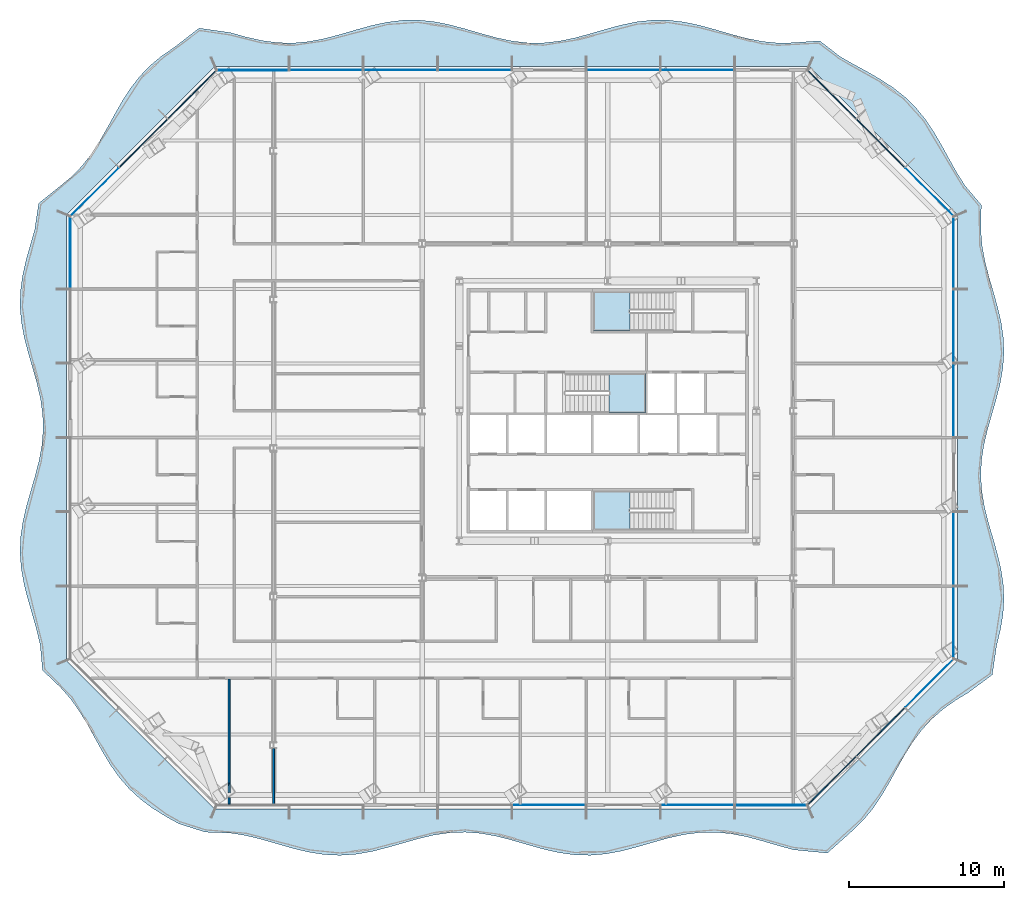
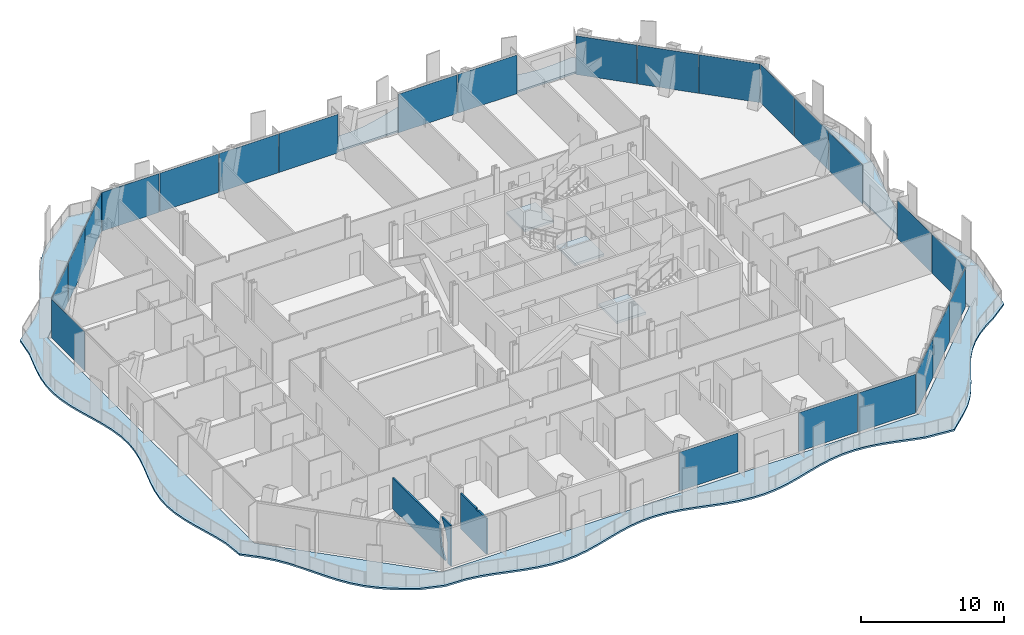
# One storey, part 5 of 17: 24 plates, 4 slabs, 3 walls, 10 elements without a shape of their own.
"""IFC4 building model written with IfcOpenShell, lengths in metres."""

from ifc_helpers import new_model, si_unit, direction, frame, origin, origin_2d, place, context, subcontext, project, spatial, polyline, rectangle, outline, extrude, material, layer, layer_set, type_object, element, aggregate, save


model = new_model("IFC4")

# Units and contexts
model_context = context("Model", 3, precision=1e-05, world=origin(), true_north=direction((0.0, 1.0)))
body_context = subcontext(model_context, "Body", "Model", "MODEL_VIEW")
ifc_project = project(units=[si_unit("LENGTHUNIT", "METRE"), si_unit("AREAUNIT", "SQUARE_METRE"), si_unit("VOLUMEUNIT", "CUBIC_METRE"), si_unit("PLANEANGLEUNIT", "RADIAN"), si_unit("MASSUNIT", "GRAM", prefix="KILO")], contexts=[model_context])

# Site, building, storey
site_placement = place(None, origin())
site = spatial("IfcSite", under=ifc_project, at=site_placement, CompositionType="ELEMENT")
building_placement = place(site_placement, origin())
building = spatial("IfcBuilding", under=site, at=building_placement, Name="Cairn Pilgrim Tower", CompositionType="ELEMENT")
storey_placement = place(building_placement, frame((0.0, 0.0, 94.199951171875)))
storey = spatial("IfcBuildingStorey", under=building, at=storey_placement, Name="L22", CompositionType="ELEMENT", Elevation=94.199951171875)

# Slab
ifc_material_1 = material(Name="Concrete C35/45", Category="concrete")
ifc_layer_1 = layer(ifc_material_1, 0.14990234375)
ifc_layer_set_1 = layer_set([ifc_layer_1], Name="BALCONY SLAB 150 CONCRETE C35/45")
slab_type_1 = type_object("IfcSlabType", Name="BALCONY SLAB 150 CONCRETE C35/45", PredefinedType="FLOOR", material=ifc_layer_set_1)
slab_1_placement = place(storey_placement, frame((0.0, 0.0, -0.14990234375)))
element("IfcSlab", 1, at=slab_1_placement, inside=storey, type_object=slab_type_1, Name="Balcony slab BS-1", PredefinedType="FLOOR", context=body_context, shape_type="SweptSolid", body=[
    extrude(outline(polyline([(-20.523193359375, -24.287841796875), (-18.81298828125, -24.82763671875), (-17.18115234375, -24.885986328125), (-16.170654296875, -25.0517578125), (-15.16015625, -25.29931640625), (-14.1494140625, -25.590087890625), (-13.138916015625, -25.87890625), (-12.12841796875, -26.12109375), (-11.117919921875, -26.278564453125), (-10.107421875, -26.327392578125), (-9.096923828125, -26.259521484375), (-8.08642578125, -26.085693359375), (-7.075927734375, -25.8330078125), (-6.065185546875, -25.54052734375), (-5.0546875, -25.25390625), (-4.044189453125, -25.017578125), (-3.03369140625, -24.868408203125), (-2.023193359375, -24.829345703125), (-1.0126953125, -24.90673828125), (-0.002197265625, -25.08837890625), (1.00830078125, -25.345947265625), (2.018798828125, -25.6396484375), (3.029541015625, -25.923828125), (4.0400390625, -26.154052734375), (5.050537109375, -26.294677734375), (6.06103515625, -26.323974609375), (7.071533203125, -26.2373046875), (8.08203125, -26.048095703125), (9.092529296875, -25.785888671875), (10.10302734375, -25.4912109375), (11.113525390625, -25.2099609375), (12.124267578125, -24.98583984375), (13.134765625, -24.853759765625), (14.145263671875, -24.834228515625), (15.15576171875, -24.930419921875), (16.166259765625, -25.126953125), (17.1767578125, -25.3935546875), (18.187255859375, -25.68896484375), (19.19775390625, -25.967041015625), (21.3916015625, -26.1845703125), (22.999267578125, -24.7470703125), (23.696533203125, -24.072998046875), (24.318359375, -23.3232421875), (24.8740234375, -22.507568359375), (25.382080078125, -21.644287109375), (25.8681640625, -20.759033203125), (26.36083984375, -19.880126953125), (26.887451171875, -19.035400390625), (27.47119140625, -18.247802734375), (28.12646484375, -17.53173828125), (28.85791015625, -16.891357421875), (29.658447265625, -16.320556640625), (30.511962890625, -15.802734375), (32.051513671875, -14.65673828125), (32.337158203125, -12.734619140625), (32.580810546875, -11.741455078125), (32.74609375, -10.74853515625), (32.808349609375, -9.75537109375), (32.757568359375, -8.76220703125), (32.60205078125, -7.76904296875), (32.36474609375, -6.776123046875), (32.08154296875, -5.782958984375), (31.794921875, -4.789794921875), (31.547607421875, -3.796630859375), (31.377197265625, -2.8037109375), (31.30908203125, -1.810546875), (31.353515625, -0.8173828125), (31.503662109375, 0.17578125), (31.7373046875, 1.168701171875), (32.01904296875, 2.161865234375), (32.306640625, 3.155029296875), (32.55712890625, 4.148193359375), (32.732666015625, 5.14111328125), (32.806884765625, 6.13427734375), (32.768798828125, 7.12744140625), (32.6240234375, 8.12060546875), (32.394287109375, 9.113525390625), (32.114013671875, 10.106689453125), (31.825439453125, 11.099853515625), (31.572021484375, 12.093017578125), (31.391357421875, 13.0859375), (31.31103515625, 14.0791015625), (31.343017578125, 15.7080078125), (30.30322265625, 16.9384765625), (29.771728515625, 17.778564453125), (29.27685546875, 18.655029296875), (28.79150390625, 19.541015625), (28.286865234375, 20.40771484375), (27.73681640625, 21.229248046875), (27.1220703125, 21.98583984375), (26.432373046875, 22.667724609375), (25.66845703125, 23.275146484375), (24.84130859375, 23.819580078125), (23.971435546875, 24.321044921875), (23.085205078125, 24.80615234375), (22.2109375, 25.303466796875), (20.892333984375, 26.32373046875), (19.19775390625, 26.195556640625), (18.187255859375, 26.180419921875), (17.1767578125, 26.280517578125), (16.166259765625, 26.480224609375), (15.15576171875, 26.748779296875), (14.145263671875, 27.044189453125), (13.134765625, 27.32080078125), (12.124267578125, 27.535400390625), (11.113525390625, 27.65478515625), (10.10302734375, 27.66015625), (9.092529296875, 27.551025390625), (8.08203125, 27.343994140625), (7.071533203125, 27.071533203125), (6.06103515625, 26.77587890625), (5.050537109375, 26.5029296875), (4.0400390625, 26.295166015625), (3.029541015625, 26.184814453125), (2.018798828125, 26.189208984375), (1.00830078125, 26.307373046875), (-0.002197265625, 26.521240234375), (-1.0126953125, 26.79736328125), (-2.023193359375, 27.0927734375), (-3.03369140625, 27.36181640625), (-4.044189453125, 27.5625), (-5.0546875, 27.663818359375), (-6.065185546875, 27.649658203125), (-7.075927734375, 27.5224609375), (-8.08642578125, 27.302001953125), (-9.096923828125, 27.022705078125), (-10.107421875, 26.7275390625), (-11.117919921875, 26.462646484375), (-12.12841796875, 26.269287109375), (-13.138916015625, 26.177490234375), (-14.1494140625, 26.201171875), (-15.16015625, 26.337158203125), (-16.170654296875, 26.56396484375), (-17.18115234375, 26.846435546875), (-19.214111328125, 27.140869140625), (-20.80029296875, 25.90966796875), (-21.615966796875, 25.353759765625), (-22.365478515625, 24.731689453125), (-23.03955078125, 24.034423828125), (-23.64013671875, 23.263427734375), (-24.178955078125, 22.43115234375), (-24.677734375, 21.558349609375), (-25.16259765625, 20.671875), (-25.662841796875, 19.800537109375), (-26.20458984375, 18.970947265625), (-26.808837890625, 18.203857421875), (-27.487060546875, 17.510498046875), (-28.240478515625, 16.892333984375), (-29.584228515625, 15.814697265625), (-29.844482421875, 14.0791015625), (-30.13427734375, 13.0859375), (-30.410400390625, 12.093017578125), (-30.630859375, 11.099853515625), (-30.762939453125, 10.106689453125), (-30.786865234375, 9.113525390625), (-30.69873046875, 8.12060546875), (-30.511962890625, 7.12744140625), (-30.25439453125, 6.13427734375), (-29.965087890625, 5.14111328125), (-29.687255859375, 4.148193359375), (-29.46240234375, 3.155029296875), (-29.32470703125, 2.161865234375), (-29.294677734375, 1.168701171875), (-29.376953125, 0.17578125), (-29.558837890625, -0.8173828125), (-29.813232421875, -1.810546875), (-30.10205078125, -2.8037109375), (-30.381591796875, -3.796630859375), (-30.6103515625, -4.789794921875), (-30.75341796875, -5.782958984375), (-30.789794921875, -6.776123046875), (-30.713623046875, -7.76904296875), (-30.536865234375, -8.76220703125), (-30.285400390625, -9.75537109375), (-29.99755859375, -10.74853515625), (-29.716064453125, -11.741455078125), (-29.483642578125, -12.734619140625), (-29.3349609375, -14.366943359375), (-28.1669921875, -15.474609375), (-27.52685546875, -16.205810546875), (-26.956298828125, -17.006591796875), (-26.4384765625, -17.8603515625), (-25.949462890625, -18.74267578125), (-25.461181640625, -19.6259765625), (-24.9453125, -20.4814453125), (-24.37744140625, -21.284912109375), (-23.74072265625, -22.019775390625), (-23.028076171875, -22.678466796875), (-22.243408203125, -23.265380859375), (-21.401123046875, -23.794189453125), (-20.523193359375, -24.287841796875)]), holes=[polyline([(20.20849609375, -23.32763671875), (-18.191650390625, -23.32763671875), (-27.79150390625, -13.727783203125), (-27.79150390625, 15.072265625), (-18.191650390625, 24.67236328125), (20.20849609375, 24.67236328125), (29.808349609375, 15.072265625), (29.808349609375, -13.727783203125), (20.20849609375, -23.32763671875)])]), origin(), (0.0, 0.0, 1.0), 0.14990234375),
])

# Curtain wall, plate
ifc_material_2 = material(Name="Aluminium alloy 6063-T6 bronze anodised with Bronze tinted laminated low-E glass 8+16+8.8", Category="aluminium")
curtain_wall_type_1 = type_object("IfcCurtainWallType", Name="CHAMFER CORNER CURTAIN WALL", PredefinedType="NOTDEFINED", material=ifc_material_2)
curtain_wall_1_placement = place(storey_placement, origin())
curtain_wall_1 = element("IfcCurtainWall", 2, at=curtain_wall_1_placement, inside=storey, type_object=curtain_wall_type_1, Name="Chamfer Corner Curtain Wall SE", PredefinedType="NOTDEFINED")
ifc_material_3 = material(Name="Bronze anodised aluminium spandrel panel with mineral wool insulation", Category="aluminium")
ifc_layer_2 = layer(ifc_material_3, 0.06005859375)
ifc_layer_set_2 = layer_set([ifc_layer_2], Name="SPANDREL PANEL 4386x3300")
plate_type_1 = type_object("IfcPlateType", Name="SPANDREL PANEL 4386x3300", PredefinedType="CURTAIN_PANEL", material=ifc_layer_set_2)
plate_1_placement = place(storey_placement, frame((21.683837890625, -21.49853515625, 0.0), z_axis=(0.0, 0.0, 1.0), x_axis=(0.707106781187, 0.707106781187, 0.0)))
plate_1 = element("IfcPlate", 3, at=plate_1_placement, type_object=plate_type_1, Name="Spandrel Panel SE1-1", PredefinedType="CURTAIN_PANEL", context=body_context, shape_type="SweptSolid", body=[
    extrude(rectangle(XDim=4.386474609375, YDim=0.06005859375, at=origin_2d()), origin(), (0.0, 0.0, 1.0), 3.300048828125),
])

curtain_wall_2_placement = place(storey_placement, origin())
curtain_wall_2 = element("IfcCurtainWall", 4, at=curtain_wall_2_placement, inside=storey, type_object=curtain_wall_type_1, Name="Chamfer Corner Curtain Wall NE", PredefinedType="NOTDEFINED")
plate_2_placement = place(storey_placement, frame((21.683837890625, 22.843017578125, 0.0), z_axis=(0.0, 0.0, 1.0), x_axis=(-0.707106781187, 0.707106781187, 0.0)))
plate_2 = element("IfcPlate", 5, at=plate_2_placement, type_object=plate_type_1, Name="Spandrel Panel NE3-1", PredefinedType="CURTAIN_PANEL", context=body_context, shape_type="SweptSolid", body=[
    extrude(rectangle(XDim=4.386474609375, YDim=0.06005859375, at=origin_2d()), origin(), (0.0, 0.0, 1.0), 3.300048828125),
])

curtain_wall_3_placement = place(storey_placement, origin())
curtain_wall_3 = element("IfcCurtainWall", 6, at=curtain_wall_3_placement, inside=storey, type_object=curtain_wall_type_1, Name="Chamfer Corner Curtain Wall NW", PredefinedType="NOTDEFINED")
plate_3_placement = place(storey_placement, frame((-19.667236328125, 22.843017578125, 0.0), z_axis=(0.0, 0.0, 1.0), x_axis=(-0.707106781187, -0.707106781187, 0.0)))
plate_3 = element("IfcPlate", 7, at=plate_3_placement, type_object=plate_type_1, Name="Spandrel Panel NW1-1", PredefinedType="CURTAIN_PANEL", context=body_context, shape_type="SweptSolid", body=[
    extrude(rectangle(XDim=4.386474609375, YDim=0.06005859375, at=origin_2d()), origin(), (0.0, 0.0, 1.0), 3.300048828125),
])

# Plate
ifc_layer_3 = layer(ifc_material_3, 0.06005859375)
ifc_layer_set_3 = layer_set([ifc_layer_3], Name="SPANDREL PANEL 4396x3300")
plate_type_2 = type_object("IfcPlateType", Name="SPANDREL PANEL 4396x3300", PredefinedType="CURTAIN_PANEL", material=ifc_layer_set_3)
plate_4_placement = place(storey_placement, frame((24.83154296875, -18.35107421875, 0.0), z_axis=(0.0, 0.0, 1.0), x_axis=(0.707106781187, 0.707106781187, 0.0)))
plate_4 = element("IfcPlate", 8, at=plate_4_placement, type_object=plate_type_2, Name="Spandrel Panel SE2-1", PredefinedType="CURTAIN_PANEL", context=body_context, shape_type="SweptSolid", body=[
    extrude(rectangle(XDim=4.396484375, YDim=0.06005859375, at=origin_2d()), origin(), (0.0, 0.0, 1.0), 3.300048828125),
])

plate_5_placement = place(storey_placement, frame((24.83154296875, 19.695556640625, 0.0), z_axis=(0.0, 0.0, 1.0), x_axis=(-0.707106781187, 0.707106781187, 0.0)))
plate_5 = element("IfcPlate", 9, at=plate_5_placement, type_object=plate_type_2, Name="Spandrel Panel NE2-1", PredefinedType="CURTAIN_PANEL", context=body_context, shape_type="SweptSolid", body=[
    extrude(rectangle(XDim=4.396484375, YDim=0.06005859375, at=origin_2d()), origin(), (0.0, 0.0, 1.0), 3.300048828125),
])

plate_6_placement = place(storey_placement, frame((-22.81494140625, 19.695556640625, 0.0), z_axis=(0.0, 0.0, 1.0), x_axis=(-0.707106781187, -0.707106781187, 0.0)))
plate_6 = element("IfcPlate", 10, at=plate_6_placement, type_object=plate_type_2, Name="Spandrel Panel NW2-1", PredefinedType="CURTAIN_PANEL", context=body_context, shape_type="SweptSolid", body=[
    extrude(rectangle(XDim=4.396484375, YDim=0.06005859375, at=origin_2d()), origin(), (0.0, 0.0, 1.0), 3.300048828125),
])

# Curtain wall, plate
curtain_wall_type_2 = type_object("IfcCurtainWallType", Name="TOWER STICK CURTAIN WALL NS", PredefinedType="NOTDEFINED", material=ifc_material_2)
curtain_wall_4_placement = place(storey_placement, origin())
curtain_wall_4 = element("IfcCurtainWall", 11, at=curtain_wall_4_placement, inside=storey, type_object=curtain_wall_type_2, Name="Tower Stick Curtain Wall Ns S", PredefinedType="NOTDEFINED")
ifc_layer_4 = layer(ifc_material_3, 0.06005859375)
ifc_layer_set_4 = layer_set([ifc_layer_4], Name="SPANDREL PANEL 4626x3300")
plate_type_3 = type_object("IfcPlateType", Name="SPANDREL PANEL 4626x3300", PredefinedType="CURTAIN_PANEL", material=ifc_layer_set_4)
plate_7_placement = place(storey_placement, frame((17.751708984375, -23.07763671875, 0.0), z_axis=(0.0, 0.0, 1.0), x_axis=(1.0, 0.0, 0.0)))
plate_7 = element("IfcPlate", 12, at=plate_7_placement, type_object=plate_type_3, Name="Spandrel Panel S8-1", PredefinedType="CURTAIN_PANEL", context=body_context, shape_type="SweptSolid", body=[
    extrude(rectangle(XDim=4.62646484375, YDim=0.06005859375, at=origin_2d()), origin(), (0.0, 0.0, 1.0), 3.300048828125),
])

curtain_wall_5_placement = place(storey_placement, origin())
curtain_wall_5 = element("IfcCurtainWall", 13, at=curtain_wall_5_placement, inside=storey, type_object=curtain_wall_type_2, Name="Tower Stick Curtain Wall Ns N", PredefinedType="NOTDEFINED")
plate_8_placement = place(storey_placement, frame((-15.73486328125, 24.42236328125, 0.0), z_axis=(0.0, 0.0, 1.0), x_axis=(-1.0, 0.0, 0.0)))
plate_8 = element("IfcPlate", 14, at=plate_8_placement, type_object=plate_type_3, Name="Spandrel Panel N8-1", PredefinedType="CURTAIN_PANEL", context=body_context, shape_type="SweptSolid", body=[
    extrude(rectangle(XDim=4.62646484375, YDim=0.06005859375, at=origin_2d()), origin(), (0.0, 0.0, 1.0), 3.300048828125),
])

# Stair, slab
ifc_material_4 = material(Name="Concrete C32/40", Category="concrete")
stair_type = type_object("IfcStairType", Name="EXIT STAIR 1200", PredefinedType="HALF_TURN_STAIR", material=ifc_material_4)
stair_1_placement = place(storey_placement, origin())
stair_1 = element("IfcStair", 15, at=stair_1_placement, inside=storey, type_object=stair_type, Name="L22 Exit Stair A", PredefinedType="HALF_TURN_STAIR")
ifc_layer_5 = layer(ifc_material_4, 0.199951171875)
ifc_layer_set_5 = layer_set([ifc_layer_5], Name="STAIR LANDING 200")
slab_type_2 = type_object("IfcSlabType", Name="STAIR LANDING 200", PredefinedType="LANDING", material=ifc_layer_set_5)
slab_2_placement = place(storey_placement, frame((0.0, 0.0, 1.60009765625)))
slab_2 = element("IfcSlab", 16, at=slab_2_placement, type_object=slab_type_2, Name="ST-A landing 1", PredefinedType="LANDING", context=body_context, shape_type="SweptSolid", body=[
    extrude(outline(polyline([(8.625, -2.77490234375), (6.27490234375, -2.77490234375), (6.27490234375, -5.300048828125), (8.625, -5.300048828125), (8.625, -2.77490234375)])), origin(), (0.0, 0.0, 1.0), 0.199951171875),
])
aggregate(stair_1, [slab_2])

stair_2_placement = place(storey_placement, origin())
stair_2 = element("IfcStair", 17, at=stair_2_placement, inside=storey, type_object=stair_type, Name="L22 Exit Stair B", PredefinedType="HALF_TURN_STAIR")
slab_3_placement = place(storey_placement, frame((0.0, 0.0, 1.60009765625)))
slab_3 = element("IfcSlab", 18, at=slab_3_placement, type_object=slab_type_2, Name="ST-B landing 1", PredefinedType="LANDING", context=body_context, shape_type="SweptSolid", body=[
    extrude(outline(polyline([(7.27490234375, 2.27490234375), (9.625, 2.27490234375), (9.625, 4.824951171875), (7.27490234375, 4.824951171875), (7.27490234375, 2.27490234375)])), origin(), (0.0, 0.0, 1.0), 0.199951171875),
])
aggregate(stair_2, [slab_3])

stair_3_placement = place(storey_placement, origin())
stair_3 = element("IfcStair", 19, at=stair_3_placement, inside=storey, type_object=stair_type, Name="L22 Exit Stair C", PredefinedType="HALF_TURN_STAIR")
slab_4_placement = place(storey_placement, frame((0.0, 0.0, 1.60009765625)))
slab_4 = element("IfcSlab", 20, at=slab_4_placement, type_object=slab_type_2, Name="ST-C landing 1", PredefinedType="LANDING", context=body_context, shape_type="SweptSolid", body=[
    extrude(outline(polyline([(8.625, 10.10009765625), (6.27490234375, 10.10009765625), (6.27490234375, 7.574951171875), (8.625, 7.574951171875), (8.625, 10.10009765625)])), origin(), (0.0, 0.0, 1.0), 0.199951171875),
])
aggregate(stair_3, [slab_4])

# Plate
ifc_material_5 = material(Name="Bronze tinted laminated low-E glass 8+16+8.8", Category="glass")
ifc_layer_6 = layer(ifc_material_5, 0.033935546875)
ifc_layer_set_6 = layer_set([ifc_layer_6], Name="VISION GLAZING 4386x3300")
plate_type_4 = type_object("IfcPlateType", Name="VISION GLAZING 4386x3300", PredefinedType="CURTAIN_PANEL", material=ifc_layer_set_6)
plate_9_placement = place(storey_placement, frame((27.979248046875, -15.203369140625, 0.0), z_axis=(0.0, 0.0, 1.0), x_axis=(0.707106781187, 0.707106781187, 0.0)))
plate_9 = element("IfcPlate", 21, at=plate_9_placement, type_object=plate_type_4, Name="Vision Glazing SE3-1", PredefinedType="CURTAIN_PANEL", context=body_context, shape_type="SweptSolid", body=[
    extrude(rectangle(XDim=4.386474609375, YDim=0.033935546875, at=origin_2d()), origin(), (0.0, 0.0, 1.0), 3.300048828125),
])

aggregate(curtain_wall_1, [plate_1, plate_4, plate_9])

plate_10_placement = place(storey_placement, frame((27.979248046875, 16.5478515625, 0.0), z_axis=(0.0, 0.0, 1.0), x_axis=(-0.707106781187, 0.707106781187, 0.0)))
plate_10 = element("IfcPlate", 22, at=plate_10_placement, type_object=plate_type_4, Name="Vision Glazing NE1-1", PredefinedType="CURTAIN_PANEL", context=body_context, shape_type="SweptSolid", body=[
    extrude(rectangle(XDim=4.386474609375, YDim=0.033935546875, at=origin_2d()), origin(), (0.0, 0.0, 1.0), 3.300048828125),
])

aggregate(curtain_wall_2, [plate_10, plate_5, plate_2])

plate_11_placement = place(storey_placement, frame((-25.96240234375, 16.5478515625, 0.0), z_axis=(0.0, 0.0, 1.0), x_axis=(-0.707106781187, -0.707106781187, 0.0)))
plate_11 = element("IfcPlate", 23, at=plate_11_placement, type_object=plate_type_4, Name="Vision Glazing NW3-1", PredefinedType="CURTAIN_PANEL", context=body_context, shape_type="SweptSolid", body=[
    extrude(rectangle(XDim=4.386474609375, YDim=0.033935546875, at=origin_2d()), origin(), (0.0, 0.0, 1.0), 3.300048828125),
])

aggregate(curtain_wall_3, [plate_3, plate_6, plate_11])

# Curtain wall, plates
curtain_wall_type_3 = type_object("IfcCurtainWallType", Name="TOWER STICK CURTAIN WALL EW", PredefinedType="NOTDEFINED", material=ifc_material_2)
curtain_wall_6_placement = place(storey_placement, origin())
curtain_wall_6 = element("IfcCurtainWall", 24, at=curtain_wall_6_placement, inside=storey, type_object=curtain_wall_type_3, Name="Tower Stick Curtain Wall Ew E", PredefinedType="NOTDEFINED")
ifc_layer_7 = layer(ifc_material_5, 0.033935546875)
ifc_layer_set_7 = layer_set([ifc_layer_7], Name="VISION GLAZING 4626x3300")
plate_type_5 = type_object("IfcPlateType", Name="VISION GLAZING 4626x3300", PredefinedType="CURTAIN_PANEL", material=ifc_layer_set_7)
plate_12_placement = place(storey_placement, frame((29.558349609375, -11.27099609375, 0.0), z_axis=(0.0, 0.0, 1.0), x_axis=(0.0, 1.0, 0.0)))
plate_12 = element("IfcPlate", 25, at=plate_12_placement, type_object=plate_type_5, Name="Vision Glazing E1-1", PredefinedType="CURTAIN_PANEL", context=body_context, shape_type="SweptSolid", body=[
    extrude(rectangle(XDim=4.62646484375, YDim=0.033935546875, at=origin_2d()), origin(), (0.0, 0.0, 1.0), 3.300048828125),
])
plate_13_placement = place(storey_placement, frame((29.558349609375, 12.615478515625, 0.0), z_axis=(0.0, 0.0, 1.0), x_axis=(0.0, 1.0, 0.0)))
plate_13 = element("IfcPlate", 26, at=plate_13_placement, type_object=plate_type_5, Name="Vision Glazing E6-1", PredefinedType="CURTAIN_PANEL", context=body_context, shape_type="SweptSolid", body=[
    extrude(rectangle(XDim=4.62646484375, YDim=0.033935546875, at=origin_2d()), origin(), (0.0, 0.0, 1.0), 3.300048828125),
])

# Curtain wall, plate
curtain_wall_7_placement = place(storey_placement, origin())
curtain_wall_7 = element("IfcCurtainWall", 27, at=curtain_wall_7_placement, inside=storey, type_object=curtain_wall_type_3, Name="Tower Stick Curtain Wall Ew W", PredefinedType="NOTDEFINED")
plate_14_placement = place(storey_placement, frame((-27.54150390625, 12.615478515625, 0.0), z_axis=(0.0, 0.0, 1.0), x_axis=(0.0, -1.0, 0.0)))
plate_14 = element("IfcPlate", 28, at=plate_14_placement, type_object=plate_type_5, Name="Vision Glazing W1-1", PredefinedType="CURTAIN_PANEL", context=body_context, shape_type="SweptSolid", body=[
    extrude(rectangle(XDim=4.62646484375, YDim=0.033935546875, at=origin_2d()), origin(), (0.0, 0.0, 1.0), 3.300048828125),
])
aggregate(curtain_wall_7, [plate_14])

# Plate
ifc_layer_8 = layer(ifc_material_5, 0.033935546875)
ifc_layer_set_8 = layer_set([ifc_layer_8], Name="VISION GLAZING 4740x3300")
plate_type_6 = type_object("IfcPlateType", Name="VISION GLAZING 4740x3300", PredefinedType="CURTAIN_PANEL", material=ifc_layer_set_8)
plate_15_placement = place(storey_placement, frame((3.408447265625, -23.07763671875, 0.0), z_axis=(0.0, 0.0, 1.0), x_axis=(1.0, 0.0, 0.0)))
plate_15 = element("IfcPlate", 29, at=plate_15_placement, type_object=plate_type_6, Name="Vision Glazing S5-1", PredefinedType="CURTAIN_PANEL", context=body_context, shape_type="SweptSolid", body=[
    extrude(rectangle(XDim=4.739990234375, YDim=0.033935546875, at=origin_2d()), origin(), (0.0, 0.0, 1.0), 3.300048828125),
])

plate_16_placement = place(storey_placement, frame((13.00830078125, -23.07763671875, 0.0), z_axis=(0.0, 0.0, 1.0), x_axis=(1.0, 0.0, 0.0)))
plate_16 = element("IfcPlate", 30, at=plate_16_placement, type_object=plate_type_6, Name="Vision Glazing S7-1", PredefinedType="CURTAIN_PANEL", context=body_context, shape_type="SweptSolid", body=[
    extrude(rectangle(XDim=4.739990234375, YDim=0.033935546875, at=origin_2d()), origin(), (0.0, 0.0, 1.0), 3.300048828125),
])

aggregate(curtain_wall_4, [plate_15, plate_16, plate_7])

plate_17_placement = place(storey_placement, frame((29.558349609375, -6.52783203125, 0.0), z_axis=(0.0, 0.0, 1.0), x_axis=(0.0, 1.0, 0.0)))
plate_17 = element("IfcPlate", 31, at=plate_17_placement, type_object=plate_type_6, Name="Vision Glazing E2-1", PredefinedType="CURTAIN_PANEL", context=body_context, shape_type="SweptSolid", body=[
    extrude(rectangle(XDim=4.739990234375, YDim=0.033935546875, at=origin_2d()), origin(), (0.0, 0.0, 1.0), 3.300048828125),
])

plate_18_placement = place(storey_placement, frame((29.558349609375, 3.072265625, 0.0), z_axis=(0.0, 0.0, 1.0), x_axis=(0.0, 1.0, 0.0)))
plate_18 = element("IfcPlate", 32, at=plate_18_placement, type_object=plate_type_6, Name="Vision Glazing E4-1", PredefinedType="CURTAIN_PANEL", context=body_context, shape_type="SweptSolid", body=[
    extrude(rectangle(XDim=4.739990234375, YDim=0.033935546875, at=origin_2d()), origin(), (0.0, 0.0, 1.0), 3.300048828125),
])

plate_19_placement = place(storey_placement, frame((29.558349609375, 7.872314453125, 0.0), z_axis=(0.0, 0.0, 1.0), x_axis=(0.0, 1.0, 0.0)))
plate_19 = element("IfcPlate", 33, at=plate_19_placement, type_object=plate_type_6, Name="Vision Glazing E5-1", PredefinedType="CURTAIN_PANEL", context=body_context, shape_type="SweptSolid", body=[
    extrude(rectangle(XDim=4.739990234375, YDim=0.033935546875, at=origin_2d()), origin(), (0.0, 0.0, 1.0), 3.300048828125),
])

aggregate(curtain_wall_6, [plate_12, plate_17, plate_18, plate_19, plate_13])

plate_20_placement = place(storey_placement, frame((13.00830078125, 24.42236328125, 0.0), z_axis=(0.0, 0.0, 1.0), x_axis=(-1.0, 0.0, 0.0)))
plate_20 = element("IfcPlate", 34, at=plate_20_placement, type_object=plate_type_6, Name="Vision Glazing N2-1", PredefinedType="CURTAIN_PANEL", context=body_context, shape_type="SweptSolid", body=[
    extrude(rectangle(XDim=4.739990234375, YDim=0.033935546875, at=origin_2d()), origin(), (0.0, 0.0, 1.0), 3.300048828125),
])

plate_21_placement = place(storey_placement, frame((8.20849609375, 24.42236328125, 0.0), z_axis=(0.0, 0.0, 1.0), x_axis=(-1.0, 0.0, 0.0)))
plate_21 = element("IfcPlate", 35, at=plate_21_placement, type_object=plate_type_6, Name="Vision Glazing N3-1", PredefinedType="CURTAIN_PANEL", context=body_context, shape_type="SweptSolid", body=[
    extrude(rectangle(XDim=4.739990234375, YDim=0.033935546875, at=origin_2d()), origin(), (0.0, 0.0, 1.0), 3.300048828125),
])

plate_22_placement = place(storey_placement, frame((-1.3916015625, 24.42236328125, 0.0), z_axis=(0.0, 0.0, 1.0), x_axis=(-1.0, 0.0, 0.0)))
plate_22 = element("IfcPlate", 36, at=plate_22_placement, type_object=plate_type_6, Name="Vision Glazing N5-1", PredefinedType="CURTAIN_PANEL", context=body_context, shape_type="SweptSolid", body=[
    extrude(rectangle(XDim=4.739990234375, YDim=0.033935546875, at=origin_2d()), origin(), (0.0, 0.0, 1.0), 3.300048828125),
])

plate_23_placement = place(storey_placement, frame((-6.191650390625, 24.42236328125, 0.0), z_axis=(0.0, 0.0, 1.0), x_axis=(-1.0, 0.0, 0.0)))
plate_23 = element("IfcPlate", 37, at=plate_23_placement, type_object=plate_type_6, Name="Vision Glazing N6-1", PredefinedType="CURTAIN_PANEL", context=body_context, shape_type="SweptSolid", body=[
    extrude(rectangle(XDim=4.739990234375, YDim=0.033935546875, at=origin_2d()), origin(), (0.0, 0.0, 1.0), 3.300048828125),
])

plate_24_placement = place(storey_placement, frame((-10.99169921875, 24.42236328125, 0.0), z_axis=(0.0, 0.0, 1.0), x_axis=(-1.0, 0.0, 0.0)))
plate_24 = element("IfcPlate", 38, at=plate_24_placement, type_object=plate_type_6, Name="Vision Glazing N7-1", PredefinedType="CURTAIN_PANEL", context=body_context, shape_type="SweptSolid", body=[
    extrude(rectangle(XDim=4.739990234375, YDim=0.033935546875, at=origin_2d()), origin(), (0.0, 0.0, 1.0), 3.300048828125),
])

aggregate(curtain_wall_5, [plate_20, plate_21, plate_22, plate_23, plate_24, plate_8])

# Walls
ifc_material_6 = material(Name="Gypsum partition")
ifc_layer_9 = layer(ifc_material_6, 0.125)
ifc_layer_set_9 = layer_set([ifc_layer_9], Name="PARTITION 125 DRYWALL EI 60")
wall_type = type_object("IfcWallType", Name="PARTITION 125 DRYWALL EI 60", PredefinedType="PARTITIONING", material=ifc_layer_set_9)
wall_1_placement = place(storey_placement, frame((-17.279052734375, -23.017578125, 0.0), z_axis=(0.0, 0.0, 1.0), x_axis=(0.0, 1.0, 0.0)))
element("IfcWall", 39, at=wall_1_placement, inside=storey, type_object=wall_type, Name="PARTITION W001", PredefinedType="PARTITIONING", context=body_context, shape_type="SweptSolid", body=[
    extrude(outline(polyline([(0.0, 0.0), (0.427490234375, 0.0), (0.427490234375, 0.862548828125), (0.427490234375, 1.72509765625), (0.697265625, 2.587646484375), (1.25732421875, 3.449951171875), (0.0, 3.449951171875), (0.0, 2.587646484375), (0.0, 1.72509765625), (0.0, 0.862548828125), (0.0, 0.0)])), frame((0.0, 0.0625, 0.0), z_axis=(0.0, -1.0, 0.0), x_axis=(1.0, 0.0, 0.0)), (0.0, 0.0, 1.0), 0.125),
])
wall_2_placement = place(storey_placement, frame((-14.39990234375, -23.017578125, 0.0), z_axis=(0.0, 0.0, 1.0), x_axis=(0.0, 1.0, 0.0)))
element("IfcWall", 40, at=wall_2_placement, inside=storey, type_object=wall_type, Name="PARTITION W002", PredefinedType="PARTITIONING", context=body_context, shape_type="SweptSolid", body=[
    extrude(outline(polyline([(0.0, 0.0), (3.60498046875, 0.0), (3.605224609375, 3.030029296875), (1.458984375, 3.030029296875), (1.45703125, 2.929931640625), (1.1591796875, 2.929931640625), (1.156982421875, 3.030029296875), (0.0, 3.030029296875), (0.0, 0.0)])), frame((0.0, 0.0625, 0.0), z_axis=(0.0, -1.0, 0.0), x_axis=(1.0, 0.0, 0.0)), (0.0, 0.0, 1.0), 0.125),
])
wall_3_placement = place(storey_placement, frame((-17.279052734375, -22.27978515625, 0.0), z_axis=(0.0, 0.0, 1.0), x_axis=(0.0, 1.0, 0.0)))
element("IfcWall", 41, at=wall_3_placement, inside=storey, type_object=wall_type, Name="PARTITION W010", PredefinedType="PARTITIONING", context=body_context, shape_type="SweptSolid", body=[
    extrude(outline(polyline([(0.0, 0.0), (7.33935546875, 0.0), (7.33935546875, 0.862548828125), (7.33935546875, 1.72509765625), (7.33935546875, 2.587646484375), (7.33935546875, 2.630126953125), (0.734375, 2.630126953125), (0.734375, 2.587646484375), (0.734375, 1.72509765625), (0.56005859375, 0.862548828125), (0.0, 0.0)])), frame((0.0, 0.0625, 0.0), z_axis=(0.0, -1.0, 0.0), x_axis=(1.0, 0.0, 0.0)), (0.0, 0.0, 1.0), 0.125),
])

save(model, "model.ifc")
